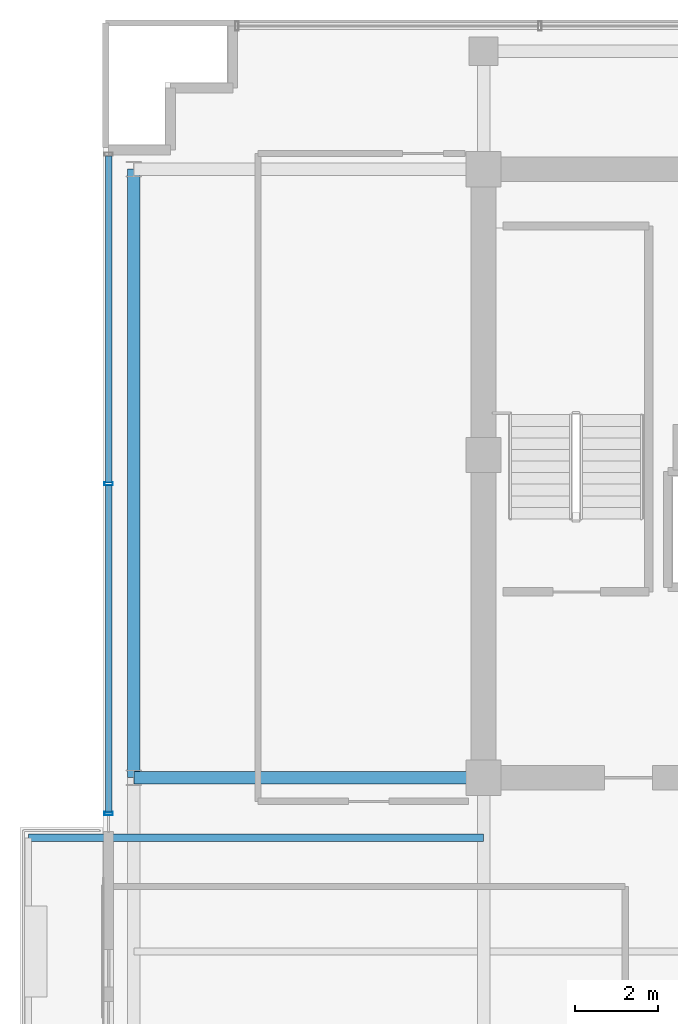
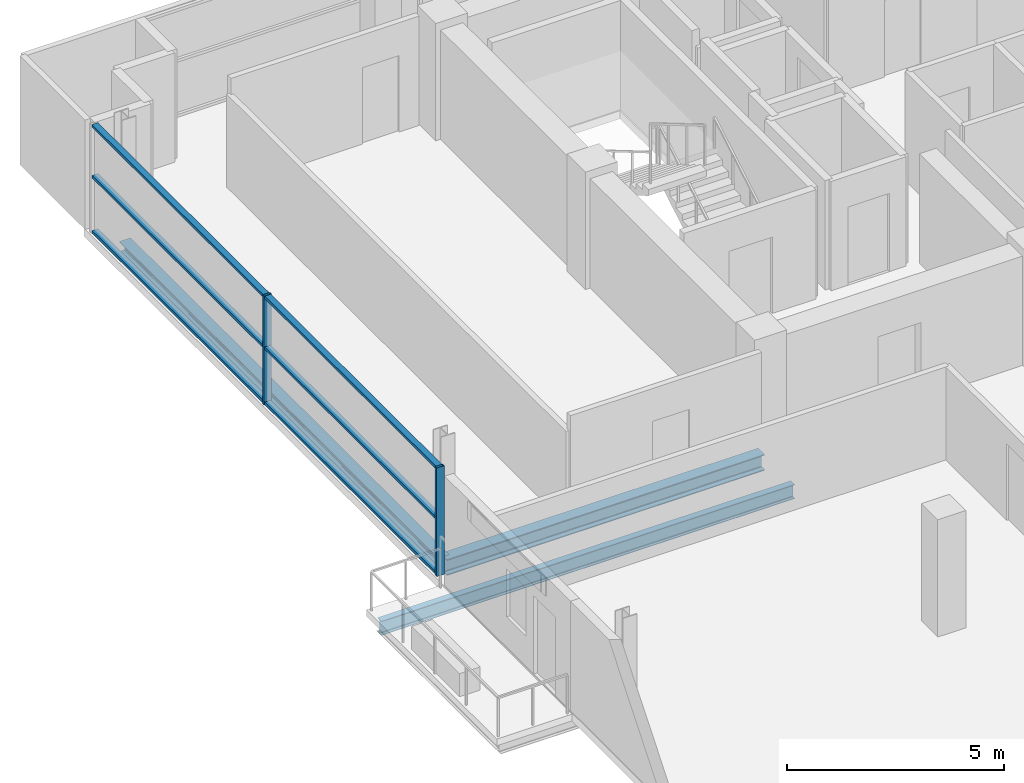
# One storey, part 6 of 22: 8 members, 3 beams, 1 element without a shape of its own.
"""IFC4 building model written with IfcOpenShell, lengths in metres."""

from ifc_helpers import new_model, si_unit, direction, frame, origin, origin_2d, place, context, subcontext, project, spatial, hollow_rectangle, i_section, extrude, source, transform, mapped, material, layer, layer_set, material_profile, profile_set, type_object, element, aggregate, save


model = new_model("IFC4")

# Units and contexts
model_context = context("Model", 3, precision=1e-05, world=origin(), true_north=direction((0.0, 1.0)))
body_context = subcontext(model_context, "Body", "Model", "MODEL_VIEW")
ifc_project = project(units=[si_unit("LENGTHUNIT", "METRE"), si_unit("AREAUNIT", "SQUARE_METRE"), si_unit("VOLUMEUNIT", "CUBIC_METRE"), si_unit("PLANEANGLEUNIT", "RADIAN"), si_unit("MASSUNIT", "GRAM", prefix="KILO")], contexts=[model_context])

# Site, building, storey
site_placement = place(None, origin())
site = spatial("IfcSite", under=ifc_project, at=site_placement, CompositionType="ELEMENT")
building_placement = place(site_placement, origin())
building = spatial("IfcBuilding", under=site, at=building_placement, Name="Zarnakvel Exchange Tower", CompositionType="ELEMENT")
storey_placement = place(building_placement, frame((0.0, 0.0, 222.10009765625)))
storey = spatial("IfcBuildingStorey", under=building, at=storey_placement, Name="L62", CompositionType="ELEMENT", Elevation=222.10009765625)

# Beams
ifc_material_1 = material(Name="Steel S355", Category="steel")
ifc_material_profile_1 = material_profile(ifc_material_1, i_section(OverallWidth=0.179931640625, OverallDepth=0.39990234375, WebThickness=0.008544921875, FlangeThickness=0.013427734375, FilletRadius=0.02099609375, at=origin_2d()))
ifc_profile_set_1 = profile_set([ifc_material_profile_1], Name="Steel S355")
beam_type_1 = type_object("IfcBeamType", Name="B-06", PredefinedType="JOIST", material=ifc_profile_set_1)
beam_1_placement = place(storey_placement, frame((-14.39990234375, -2.64990234375, -0.425048828125), z_axis=(-1.0, 0.0, 0.0), x_axis=(0.0, -1.0, 0.0)))
element("IfcBeam", 1, at=beam_1_placement, inside=storey, type_object=beam_type_1, Name="L62 Continuous West Loggia Beam N", PredefinedType="JOIST", context=body_context, shape_type="SweptSolid", body=[
    extrude(i_section(OverallWidth=0.179931640625, OverallDepth=0.39990234375, WebThickness=0.008544921875, FlangeThickness=0.013427734375, FilletRadius=0.02099609375, at=origin_2d()), origin(), (0.0, 0.0, 1.0), 11.0),
])
ifc_material_profile_2 = material_profile(ifc_material_1, i_section(OverallWidth=0.300048828125, OverallDepth=0.449951171875, WebThickness=0.013916015625, FlangeThickness=0.02587890625, FilletRadius=0.027099609375, at=origin_2d()))
ifc_profile_set_2 = profile_set([ifc_material_profile_2], Name="Steel S355")
beam_type_2 = type_object("IfcBeamType", Name="G-07", PredefinedType="BEAM", material=ifc_profile_set_2)
beam_2_placement = place(storey_placement, frame((-22.85009765625, -1.199951171875, -0.4501953125), z_axis=(1.0, 0.0, 0.0), x_axis=(0.0, 1.0, 0.0)))
element("IfcBeam", 2, at=beam_2_placement, inside=storey, type_object=beam_type_2, Name="L62 Tower E-W Frame Beam", PredefinedType="BEAM", context=body_context, shape_type="SweptSolid", body=[
    extrude(i_section(OverallWidth=0.300048828125, OverallDepth=0.449951171875, WebThickness=0.013916015625, FlangeThickness=0.02587890625, FilletRadius=0.027099609375, at=origin_2d()), origin(), (0.0, 0.0, 1.0), 8.4501953125),
])
ifc_material_profile_3 = material_profile(ifc_material_1, i_section(OverallWidth=0.300048828125, OverallDepth=0.300048828125, WebThickness=0.010986328125, FlangeThickness=0.01904296875, FilletRadius=0.027099609375, at=origin_2d()))
ifc_profile_set_3 = profile_set([ifc_material_profile_3], Name="Steel S355")
beam_type_3 = type_object("IfcBeamType", Name="SP-03", PredefinedType="SPANDREL", material=ifc_profile_set_3)
beam_3_placement = place(storey_placement, frame((-22.85009765625, -1.199951171875, -0.375), z_axis=(0.0, 1.0, 0.0), x_axis=(-1.0, 0.0, 0.0)))
element("IfcBeam", 3, at=beam_3_placement, inside=storey, type_object=beam_type_3, Name="L62 Tower N-S Frame Beam", PredefinedType="SPANDREL", context=body_context, shape_type="SweptSolid", body=[
    extrude(i_section(OverallWidth=0.300048828125, OverallDepth=0.300048828125, WebThickness=0.010986328125, FlangeThickness=0.01904296875, FilletRadius=0.027099609375, at=origin_2d()), origin(), (0.0, 0.0, 1.0), 14.699951171875),
])

# Curtain wall, members
ifc_material_2 = material(Name="Architectural Bronze Anodised Aluminium", Category="aluminium")
ifc_layer = layer(ifc_material_2, 0.199951171875)
ifc_layer_set = layer_set([ifc_layer], Name="Architectural Bronze Anodised Aluminium")
curtain_wall_type = type_object("IfcCurtainWallType", Name="CW-04", PredefinedType="NOTDEFINED", material=ifc_layer_set)
curtain_wall_placement = place(storey_placement, origin())
curtain_wall = element("IfcCurtainWall", 4, at=curtain_wall_placement, inside=storey, type_object=curtain_wall_type, Name="L62 Curtain Wall CW-L62-WN (CW-04)", PredefinedType="NOTDEFINED")
ifc_material_profile_4 = material_profile(ifc_material_2, hollow_rectangle(XDim=0.199951171875, YDim=0.074951171875, WallThickness=0.0048828125, at=origin_2d()))
ifc_profile_set_4 = profile_set([ifc_material_profile_4], Name="Architectural Bronze Anodised Aluminium")
member_type_1 = type_object("IfcMemberType", Name="CWM-04", PredefinedType="MULLION", material=ifc_profile_set_4)
shared_shape_1 = source(origin(), body_context, "Body", "SweptSolid", [
    extrude(hollow_rectangle(XDim=0.199951171875, YDim=0.074951171875, WallThickness=0.0048828125, at=origin_2d()), origin(), (0.0, 0.0, 1.0), 3.054931640625),
])
member_1_placement = place(storey_placement, frame((-23.4599609375, -2.0625, 0.0), z_axis=(0.0, 0.0, 1.0), x_axis=(-1.0, 0.0, 0.0)))
member_1 = element("IfcMember", 5, at=member_1_placement, type_object=member_type_1, Name="CW-04 mullion 1", PredefinedType="MULLION", context=body_context, shape_type="MappedRepresentation", body=[
    mapped(shared_shape_1, transform((0.0, 0.0, 0.0), x_axis=(1.0, 0.0, 0.0), y_axis=(0.0, 1.0, 0.0), z_axis=(0.0, 0.0, 1.0), scale=1.0)),
])
member_2_placement = place(storey_placement, frame((-23.4599609375, 5.89990234375, 0.0), z_axis=(0.0, 0.0, 1.0), x_axis=(-1.0, 0.0, 0.0)))
member_2 = element("IfcMember", 6, at=member_2_placement, type_object=member_type_1, Name="CW-04 mullion 2", PredefinedType="MULLION", context=body_context, shape_type="MappedRepresentation", body=[
    mapped(shared_shape_1, transform((0.0, 0.0, 0.0), x_axis=(1.0, 0.0, 0.0), y_axis=(0.0, 1.0, 0.0), z_axis=(0.0, 0.0, 1.0), scale=1.0)),
])
ifc_material_profile_5 = material_profile(ifc_material_2, hollow_rectangle(XDim=0.159912109375, YDim=0.074951171875, WallThickness=0.00390625, at=origin_2d()))
ifc_profile_set_5 = profile_set([ifc_material_profile_5], Name="Architectural Bronze Anodised Aluminium")
member_type_2 = type_object("IfcMemberType", Name="CWT-04", PredefinedType="USERDEFINED", material=ifc_profile_set_5)
shared_shape_2 = source(origin(), body_context, "Body", "SweptSolid", [
    extrude(hollow_rectangle(XDim=0.159912109375, YDim=0.074951171875, WallThickness=0.00390625, at=origin_2d()), origin(), (0.0, 0.0, 1.0), 7.887451171875),
])
member_3_placement = place(storey_placement, frame((-23.4599609375, -2.02490234375, 0.037353515625), z_axis=(0.0, 1.0, 0.0), x_axis=(-1.0, 0.0, 0.0)))
member_3 = element("IfcMember", 7, at=member_3_placement, type_object=member_type_2, Name="CW-04 transom 1.1", ObjectType="TRANSOM", PredefinedType="USERDEFINED", context=body_context, shape_type="MappedRepresentation", body=[
    mapped(shared_shape_2, transform((0.0, 0.0, 0.0), x_axis=(1.0, 0.0, 0.0), y_axis=(0.0, 1.0, 0.0), z_axis=(0.0, 0.0, 1.0), scale=1.0)),
])
member_4_placement = place(storey_placement, frame((-23.4599609375, -2.02490234375, 1.588623046875), z_axis=(0.0, 1.0, 0.0), x_axis=(-1.0, 0.0, 0.0)))
member_4 = element("IfcMember", 8, at=member_4_placement, type_object=member_type_2, Name="CW-04 transom 1.2", ObjectType="TRANSOM", PredefinedType="USERDEFINED", context=body_context, shape_type="MappedRepresentation", body=[
    mapped(shared_shape_2, transform((0.0, 0.0, 0.0), x_axis=(1.0, 0.0, 0.0), y_axis=(0.0, 1.0, 0.0), z_axis=(0.0, 0.0, 1.0), scale=1.0)),
])
member_5_placement = place(storey_placement, frame((-23.4599609375, -2.02490234375, 3.017333984375), z_axis=(0.0, 1.0, 0.0), x_axis=(-1.0, 0.0, 0.0)))
member_5 = element("IfcMember", 9, at=member_5_placement, type_object=member_type_2, Name="CW-04 transom 1.3", ObjectType="TRANSOM", PredefinedType="USERDEFINED", context=body_context, shape_type="MappedRepresentation", body=[
    mapped(shared_shape_2, transform((0.0, 0.0, 0.0), x_axis=(1.0, 0.0, 0.0), y_axis=(0.0, 1.0, 0.0), z_axis=(0.0, 0.0, 1.0), scale=1.0)),
])
member_6_placement = place(storey_placement, frame((-23.4599609375, 5.9375, 0.037353515625), z_axis=(0.0, 1.0, 0.0), x_axis=(-1.0, 0.0, 0.0)))
member_6 = element("IfcMember", 10, at=member_6_placement, type_object=member_type_2, Name="CW-04 transom 2.1", ObjectType="TRANSOM", PredefinedType="USERDEFINED", context=body_context, shape_type="MappedRepresentation", body=[
    mapped(shared_shape_2, transform((0.0, 0.0, 0.0), x_axis=(1.0, 0.0, 0.0), y_axis=(0.0, 1.0, 0.0), z_axis=(0.0, 0.0, 1.0), scale=1.0)),
])
member_7_placement = place(storey_placement, frame((-23.4599609375, 5.9375, 1.588623046875), z_axis=(0.0, 1.0, 0.0), x_axis=(-1.0, 0.0, 0.0)))
member_7 = element("IfcMember", 11, at=member_7_placement, type_object=member_type_2, Name="CW-04 transom 2.2", ObjectType="TRANSOM", PredefinedType="USERDEFINED", context=body_context, shape_type="MappedRepresentation", body=[
    mapped(shared_shape_2, transform((0.0, 0.0, 0.0), x_axis=(1.0, 0.0, 0.0), y_axis=(0.0, 1.0, 0.0), z_axis=(0.0, 0.0, 1.0), scale=1.0)),
])
member_8_placement = place(storey_placement, frame((-23.4599609375, 5.9375, 3.017333984375), z_axis=(0.0, 1.0, 0.0), x_axis=(-1.0, 0.0, 0.0)))
member_8 = element("IfcMember", 12, at=member_8_placement, type_object=member_type_2, Name="CW-04 transom 2.3", ObjectType="TRANSOM", PredefinedType="USERDEFINED", context=body_context, shape_type="MappedRepresentation", body=[
    mapped(shared_shape_2, transform((0.0, 0.0, 0.0), x_axis=(1.0, 0.0, 0.0), y_axis=(0.0, 1.0, 0.0), z_axis=(0.0, 0.0, 1.0), scale=1.0)),
])
aggregate(curtain_wall, [member_1, member_2, member_3, member_4, member_5, member_6, member_7, member_8])

save(model, "model.ifc")
